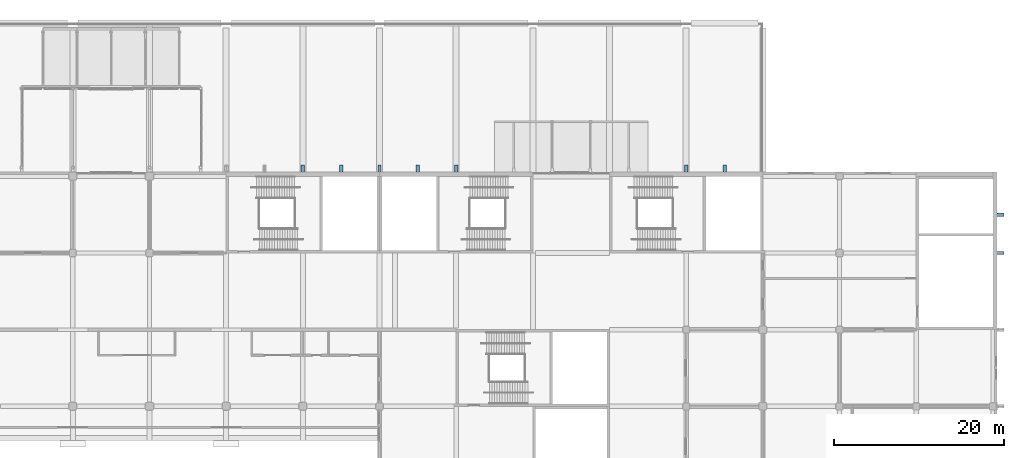
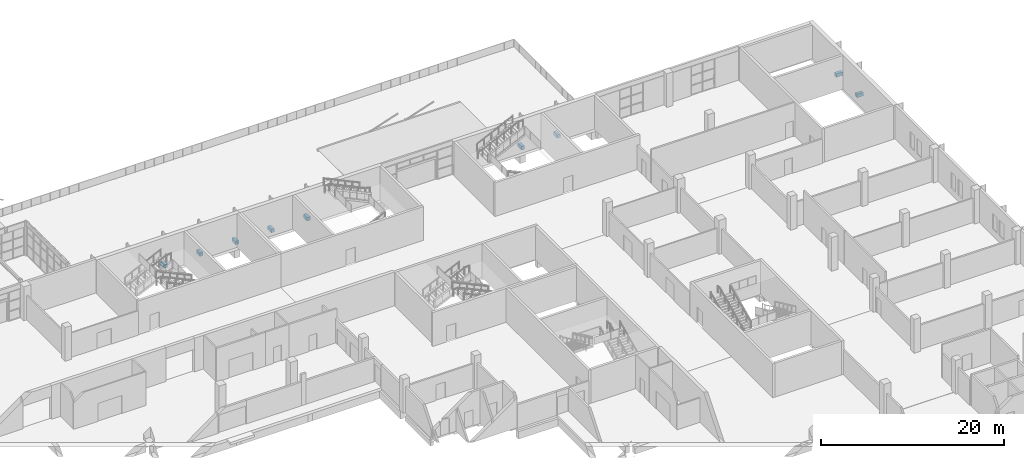
# One storey, part 119 of 168: 9 discrete accessories.
"""IFC4 building model written with IfcOpenShell, lengths in metres."""

import ifcopenshell
import ifcopenshell.guid

model = None  # the IFC model being written
_history = None  # IfcOwnerHistory: only IFC2X3 demands one
_inside = {}  # id of a spatial element -> (the spatial element, [elements in it])
_under = {}  # id of a project, library or spatial element -> (it, [spatial elements below it])
_declared = {}  # id of a project -> (the project, [libraries it declares])
_typed = {}  # id of a type object -> (the type object, [elements of that type])
_made_of = {}  # id of a material, layer set ... -> (it, [elements and type objects made of it])


def new_model(schema):
    """Start an empty IFC model of exactly this schema.

    Asked for "IFC4X3", IfcOpenShell would pick the latest addendum, in which some entities
    have other attributes; the version numbers below select the first issue.
    IFC2X3 requires an IfcOwnerHistory on every rooted entity: one is made here for all.
    """
    global model, _history
    if schema == "IFC4X3":
        model = ifcopenshell.file(schema_version=(4, 3, 0, 0))
    else:
        model = ifcopenshell.file(schema=schema)
    _inside.clear()
    _under.clear()
    _declared.clear()
    _typed.clear()
    _made_of.clear()
    _history = None
    if model.schema == "IFC2X3":
        org = make("IfcOrganization", Name="unknown")
        user = make(
            "IfcPersonAndOrganization",
            ThePerson=make("IfcPerson", FamilyName="unknown"),
            TheOrganization=org,
        )
        app = make(
            "IfcApplication",
            ApplicationDeveloper=org,
            Version="unknown",
            ApplicationFullName="unknown",
            ApplicationIdentifier="unknown",
        )
        _history = make(
            "IfcOwnerHistory",
            OwningUser=user,
            OwningApplication=app,
            ChangeAction="ADDED",
            CreationDate=0,
        )
    return model


def make(cls, **values):
    """One entity of the class cls with the attributes given. An attribute that is None is left unset."""
    return model.create_entity(
        cls, **{name: value for name, value in values.items() if value is not None}
    )


def rooted(cls, **values):
    """An entity with a GlobalId (a new one), such as an element, a storey or a relation."""
    return make(cls, GlobalId=ifcopenshell.guid.new(), OwnerHistory=_history, **values)


def si_unit(unit_type, name, prefix=None):
    """IfcSIUnit, for example si_unit("LENGTHUNIT", "METRE", prefix="MILLI")."""
    return make("IfcSIUnit", UnitType=unit_type, Prefix=prefix, Name=name)


def assignment(units):
    """IfcUnitAssignment: the units of a project."""
    return None if units is None else make("IfcUnitAssignment", Units=units)


def point(xyz):
    """IfcCartesianPoint."""
    return None if xyz is None else make("IfcCartesianPoint", Coordinates=xyz)


def direction(xyz):
    """IfcDirection."""
    return None if xyz is None else make("IfcDirection", DirectionRatios=xyz)


def frame(location, z_axis=None, x_axis=None):
    """IfcAxis2Placement3D, a coordinate frame: its origin and axes. An axis left out is left unset."""
    return make(
        "IfcAxis2Placement3D",
        Location=point(location),
        Axis=direction(z_axis),
        RefDirection=direction(x_axis),
    )


def frame_2d(location, x_axis=None):
    """IfcAxis2Placement2D, a coordinate frame in the plane: its origin and x axis."""
    return make(
        "IfcAxis2Placement2D", Location=point(location), RefDirection=direction(x_axis)
    )


def origin():
    """The frame at (0, 0, 0) with its axes left unset."""
    return frame((0.0, 0.0, 0.0))


def origin_2d():
    """The frame at (0, 0) in the plane with its x axis left unset."""
    return frame_2d((0.0, 0.0))


def place(relative_to, where):
    """IfcLocalPlacement: puts the frame where relative to a parent placement (None: the world)."""
    return make(
        "IfcLocalPlacement", PlacementRelTo=relative_to, RelativePlacement=where
    )


def context(
    kind, dimensions, precision=None, world=None, true_north=None, identifier=None
):
    """IfcGeometricRepresentationContext, for example the 3D "Model" context."""
    return make(
        "IfcGeometricRepresentationContext",
        ContextIdentifier=identifier,
        ContextType=kind,
        CoordinateSpaceDimension=dimensions,
        Precision=precision,
        WorldCoordinateSystem=world,
        TrueNorth=true_north,
    )


def subcontext(parent, identifier, kind, view, scale=None):
    """IfcGeometricRepresentationSubContext, for example "Body" below "Model"."""
    return make(
        "IfcGeometricRepresentationSubContext",
        ContextIdentifier=identifier,
        ContextType=kind,
        ParentContext=parent,
        TargetScale=scale,
        TargetView=view,
    )


def project(units=None, contexts=None):
    """IfcProject with its units and contexts."""
    return rooted(
        "IfcProject",
        Name="project",
        RepresentationContexts=contexts,
        UnitsInContext=assignment(units),
    )


def spatial(cls, under=None, at=None, **own):
    """A site, building, storey or space (cls), placed at a placement, below another one or the project."""
    s = rooted(cls, ObjectPlacement=at, **own)
    if under is not None:
        _under.setdefault(under.id(), (under, []))[1].append(s)
    return s


def profile(cls, at=None, kind="AREA", **sizes):
    """A parametric profile (cls). Its sizes go by their IFC names, for example OverallWidth=200.0."""
    return make(cls, ProfileType=kind, Position=at, **sizes)


def rectangle(**sizes):
    """IfcRectangleProfileDef."""
    return profile("IfcRectangleProfileDef", **sizes)


def extrude(swept, where, along, depth):
    """IfcExtrudedAreaSolid: the profile swept, set in the frame where, extruded along a direction by depth."""
    return make(
        "IfcExtrudedAreaSolid",
        SweptArea=swept,
        Position=where,
        ExtrudedDirection=direction(along),
        Depth=depth,
    )


def shape(context_of_items, identifier, shape_type, items):
    """IfcShapeRepresentation: the items that make up one representation, for example the "Body"."""
    return make(
        "IfcShapeRepresentation",
        ContextOfItems=context_of_items,
        RepresentationIdentifier=identifier,
        RepresentationType=shape_type,
        Items=items,
    )


def material(Name=None, Category=None):
    """IfcMaterial."""
    return make("IfcMaterial", Name=Name, Category=Category)


def made_of(thing, what):
    """Note that an element or type object is made of a material, layer set ...; save() writes the relation."""
    if what is not None:
        _made_of.setdefault(what.id(), (what, []))[1].append(thing)
    return thing


def type_object(cls, material=None, **own):
    """A type object (cls), such as IfcWallType, which elements share."""
    return made_of(rooted(cls, **own), material)


def element(
    cls,
    number,
    at=None,
    inside=None,
    cuts=None,
    type_object=None,
    material=None,
    context=None,
    identifier="Body",
    shape_type=None,
    held_by="IfcProductDefinitionShape",
    body=None,
    shapes=None,
    **own,
):
    """One element of the class cls, such as IfcWall. Its Tag is "e" and its number.

    at: its placement. inside: the storey or other place that contains it. cuts: it is an
    opening in that element (IfcRelVoidsElement). A single representation is given by context,
    identifier, shape_type and body (its items); several are given by shapes. held_by: the class
    of the entity that holds the representations. save() writes the other relations.
    """
    e = rooted(cls, Tag="e%d" % number, ObjectPlacement=at, **own)
    if body is not None:
        shapes = [shape(context, identifier, shape_type, body)]
    if shapes is not None:
        e.Representation = make(held_by, Representations=shapes)
    if inside is not None:
        _inside.setdefault(inside.id(), (inside, []))[1].append(e)
    if cuts is not None:
        rooted(
            "IfcRelVoidsElement", RelatingBuildingElement=cuts, RelatedOpeningElement=e
        )
    if type_object is not None:
        _typed.setdefault(type_object.id(), (type_object, []))[1].append(e)
    return made_of(e, material)


def aggregate(whole, parts):
    """IfcRelAggregates: a whole, such as a stair, and the parts it consists of."""
    return rooted("IfcRelAggregates", RelatingObject=whole, RelatedObjects=parts)


def save(model, path):
    """Write the relations noted so far, then the file.

    IfcRelAggregates (storeys below a building ...), IfcRelContainedInSpatialStructure (elements
    in a storey), IfcRelDefinesByType, IfcRelAssociatesMaterial and IfcRelDeclares: one each for
    every whole, place, type object, material and project.
    """
    for whole, parts in _under.values():
        aggregate(whole, parts)
    for where, things in _inside.values():
        rooted(
            "IfcRelContainedInSpatialStructure",
            RelatedElements=things,
            RelatingStructure=where,
        )
    for kind, things in _typed.values():
        rooted("IfcRelDefinesByType", RelatedObjects=things, RelatingType=kind)
    for what, things in _made_of.values():
        rooted("IfcRelAssociatesMaterial", RelatedObjects=things, RelatingMaterial=what)
    for by, libraries in _declared.values():
        rooted("IfcRelDeclares", RelatingContext=by, RelatedDefinitions=libraries)
    model.write(path)


model = new_model("IFC4")

# Units and contexts
model_context = context("Model", 3, precision=1e-05, world=origin(), true_north=direction((0.0, 1.0)))
body_context = subcontext(model_context, "Body", "Model", "MODEL_VIEW")
ifc_project = project(units=[si_unit("LENGTHUNIT", "METRE"), si_unit("AREAUNIT", "SQUARE_METRE"), si_unit("VOLUMEUNIT", "CUBIC_METRE"), si_unit("PLANEANGLEUNIT", "RADIAN"), si_unit("MASSUNIT", "GRAM", prefix="KILO")], contexts=[model_context])

# Site, building, storey
site_placement = place(None, origin())
site = spatial("IfcSite", under=ifc_project, at=site_placement, CompositionType="ELEMENT")
building_placement = place(site_placement, origin())
building = spatial("IfcBuilding", under=site, at=building_placement, Name="Silverbay Arena", CompositionType="ELEMENT")
storey_placement = place(building_placement, frame((0.0, 0.0, 7.0)))
storey = spatial("IfcBuildingStorey", under=building, at=storey_placement, Name="L01", CompositionType="ELEMENT", Elevation=7.0)

# Discrete accessories
ifc_material = material(Name="Steel S355", Category="steel")
discrete_accessory_type = type_object("IfcDiscreteAccessoryType", Name="Steel bracket plate", PredefinedType="BRACKET", material=ifc_material)
for number, where, z_axis, x_axis, name in (
    (1, (234.9013671875, 135.0, 0.0), (0.0, 0.0, 1.0), (1.0, 0.0, 0.0), "Fin base shoe"),
    (2, (234.9013671875, 139.5, 0.0), (0.0, 0.0, 1.0), (1.0, 0.0, 0.0), "Fin base shoe"),
):
    element("IfcDiscreteAccessory", number, at=place(storey_placement, frame(where, z_axis=z_axis, x_axis=x_axis)), inside=storey, type_object=discrete_accessory_type, Name=name, PredefinedType="BRACKET", context=body_context, shape_type="SweptSolid", body=[
        extrude(rectangle(XDim=0.802490234375, YDim=0.39990234375, at=origin_2d()), origin(), (0.0, 0.0, 1.0), 0.449951171875),
    ])
for number, where, z_axis, x_axis, name in (
    (3, (153.0, 144.9013671875, 0.0), (0.0, 0.0, 1.0), (1.0, 0.0, 0.0), "Fin base shoe"),
    (4, (157.5, 144.9013671875, 0.0), (0.0, 0.0, 1.0), (1.0, 0.0, 0.0), "Fin base shoe"),
    (5, (162.0, 144.9013671875, 0.0), (0.0, 0.0, 1.0), (1.0, 0.0, 0.0), "Fin base shoe"),
    (6, (166.5, 144.9013671875, 0.0), (0.0, 0.0, 1.0), (1.0, 0.0, 0.0), "Fin base shoe"),
    (7, (171.0, 144.9013671875, 0.0), (0.0, 0.0, 1.0), (1.0, 0.0, 0.0), "Fin base shoe"),
    (8, (198.0, 144.9013671875, 0.0), (0.0, 0.0, 1.0), (1.0, 0.0, 0.0), "Fin base shoe"),
    (9, (202.5, 144.9013671875, 0.0), (0.0, 0.0, 1.0), (1.0, 0.0, 0.0), "Fin base shoe"),
):
    element("IfcDiscreteAccessory", number, at=place(storey_placement, frame(where, z_axis=z_axis, x_axis=x_axis)), inside=storey, type_object=discrete_accessory_type, Name=name, PredefinedType="BRACKET", context=body_context, shape_type="SweptSolid", body=[
        extrude(rectangle(XDim=0.39990234375, YDim=0.802490234375, at=origin_2d()), origin(), (0.0, 0.0, 1.0), 0.449951171875),
    ])

save(model, "model.ifc")
